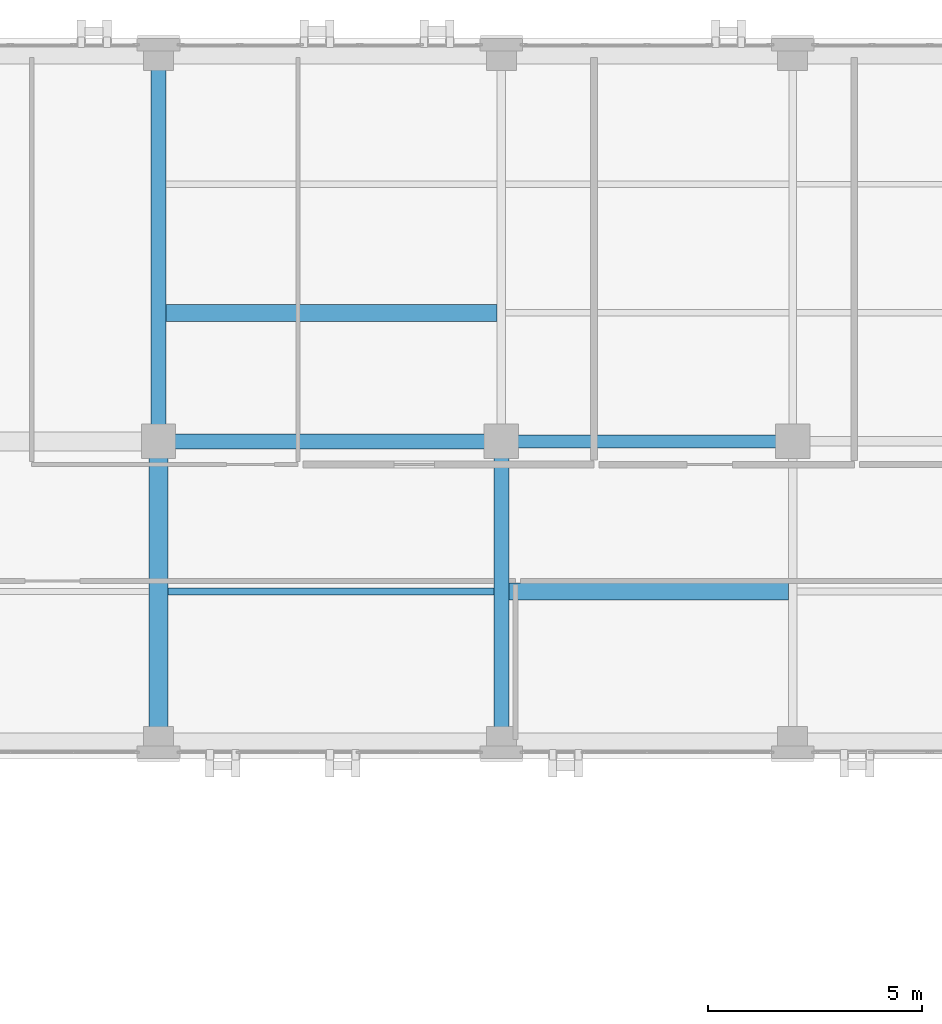
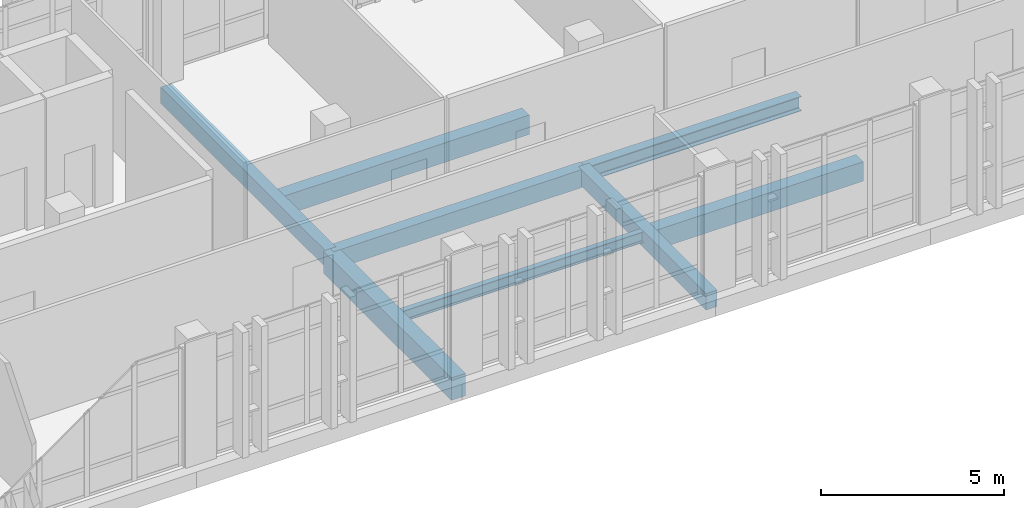
# One storey, part 92 of 165: 8 beams.
"""IFC4 building model written with IfcOpenShell, lengths in metres."""

from ifc_helpers import new_model, si_unit, direction, frame, origin, origin_2d, place, context, subcontext, project, spatial, rectangle, i_section, extrude, material, material_profile, profile_set, type_object, element, save


model = new_model("IFC4")

# Units and contexts
model_context = context("Model", 3, precision=1e-05, world=origin(), true_north=direction((0.0, 1.0)))
body_context = subcontext(model_context, "Body", "Model", "MODEL_VIEW")
ifc_project = project(units=[si_unit("LENGTHUNIT", "METRE"), si_unit("AREAUNIT", "SQUARE_METRE"), si_unit("VOLUMEUNIT", "CUBIC_METRE"), si_unit("PLANEANGLEUNIT", "RADIAN"), si_unit("MASSUNIT", "GRAM", prefix="KILO")], contexts=[model_context])

# Site, building, storey
site_placement = place(None, origin())
site = spatial("IfcSite", under=ifc_project, at=site_placement, CompositionType="ELEMENT")
building_placement = place(site_placement, origin())
building = spatial("IfcBuilding", under=site, at=building_placement, Name="Qalavern Law Courts", CompositionType="ELEMENT")
storey_placement = place(building_placement, frame((0.0, 0.0, 14.39990234375)))
storey = spatial("IfcBuildingStorey", under=building, at=storey_placement, Name="L03", CompositionType="ELEMENT", Elevation=14.39990234375)

# Beams
ifc_material_1 = material(Name="Steel S355", Category="steel")
ifc_material_profile_1 = material_profile(ifc_material_1, i_section(OverallWidth=0.300048828125, OverallDepth=0.489990234375, WebThickness=0.011962890625, FlangeThickness=0.02294921875, FilletRadius=0.027099609375, at=origin_2d()), Name="HEA 500")
ifc_profile_set_1 = profile_set([ifc_material_profile_1], Name="Steel S355")
beam_type_1 = type_object("IfcBeamType", Name="STR-BM-HEA500", PredefinedType="BEAM", material=ifc_profile_set_1)
beam_1_placement = place(storey_placement, frame((44.800048828125, 103.60009765625, -0.52978515625), z_axis=(1.0, 0.0, 0.0), x_axis=(0.0, 1.0, 0.0)))
element("IfcBeam", 1, at=beam_1_placement, inside=storey, type_object=beam_type_1, Name="V5 X-beam 2-6 L03", PredefinedType="BEAM", context=body_context, shape_type="SweptSolid", body=[
    extrude(i_section(OverallWidth=0.300048828125, OverallDepth=0.489990234375, WebThickness=0.011962890625, FlangeThickness=0.02294921875, FilletRadius=0.027099609375, at=origin_2d()), origin(), (0.0, 0.0, 1.0), 6.800048828125),
])
ifc_material_2 = material(Name="Concrete C35/45", Category="concrete")
ifc_material_profile_2 = material_profile(ifc_material_2, rectangle(XDim=0.35009765625, YDim=0.550048828125, at=origin_2d()), Name="RC 350x550")
ifc_profile_set_2 = profile_set([ifc_material_profile_2], Name="Concrete C35/45")
beam_type_2 = type_object("IfcBeamType", Name="STR-BM-RC350x550", PredefinedType="BEAM", material=ifc_profile_set_2)
beam_2_placement = place(storey_placement, frame((36.800048828125, 103.60009765625, -0.559814453125), z_axis=(0.0, 1.0, 0.0), x_axis=(-1.0, 0.0, 0.0)))
element("IfcBeam", 2, at=beam_2_placement, inside=storey, type_object=beam_type_2, Name="V5 Y-beam 5-2 L03", PredefinedType="BEAM", context=body_context, shape_type="SweptSolid", body=[
    extrude(rectangle(XDim=0.35009765625, YDim=0.550048828125, at=origin_2d()), origin(), (0.0, 0.0, 1.0), 9.0),
])
beam_3_placement = place(storey_placement, frame((44.800048828125, 96.60009765625, -0.559814453125), z_axis=(0.0, 1.0, 0.0), x_axis=(-1.0, 0.0, 0.0)))
element("IfcBeam", 3, at=beam_3_placement, inside=storey, type_object=beam_type_2, Name="V5 Y-beam 6-1 L03", PredefinedType="BEAM", context=body_context, shape_type="SweptSolid", body=[
    extrude(rectangle(XDim=0.35009765625, YDim=0.550048828125, at=origin_2d()), origin(), (0.0, 0.0, 1.0), 7.0),
])
ifc_material_profile_3 = material_profile(ifc_material_2, rectangle(XDim=0.35009765625, YDim=0.60009765625, at=origin_2d()), Name="RC 350x600")
ifc_profile_set_3 = profile_set([ifc_material_profile_3], Name="Concrete C35/45")
beam_type_3 = type_object("IfcBeamType", Name="STR-BM-RC350x600", PredefinedType="BEAM", material=ifc_profile_set_3)
beam_4_placement = place(storey_placement, frame((36.800048828125, 103.60009765625, -0.5849609375), z_axis=(1.0, 0.0, 0.0), x_axis=(0.0, 1.0, 0.0)))
element("IfcBeam", 4, at=beam_4_placement, inside=storey, type_object=beam_type_3, Name="V5 X-beam 2-5 L03", PredefinedType="BEAM", context=body_context, shape_type="SweptSolid", body=[
    extrude(rectangle(XDim=0.35009765625, YDim=0.60009765625, at=origin_2d()), origin(), (0.0, 0.0, 1.0), 8.0),
])
ifc_material_3 = material(Name="Concrete C40/50", Category="concrete")
ifc_material_profile_4 = material_profile(ifc_material_3, rectangle(XDim=0.449951171875, YDim=0.75, at=origin_2d()), Name="RC 450x750")
ifc_profile_set_4 = profile_set([ifc_material_profile_4], Name="Concrete C40/50")
beam_type_4 = type_object("IfcBeamType", Name="STR-BM-RC450x750", PredefinedType="BEAM", material=ifc_profile_set_4)
beam_5_placement = place(storey_placement, frame((36.800048828125, 96.60009765625, -0.659912109375), z_axis=(0.0, 1.0, 0.0), x_axis=(-1.0, 0.0, 0.0)))
element("IfcBeam", 5, at=beam_5_placement, inside=storey, type_object=beam_type_4, Name="V5 Y-beam 5-1 L03", PredefinedType="BEAM", context=body_context, shape_type="SweptSolid", body=[
    extrude(rectangle(XDim=0.449951171875, YDim=0.75, at=origin_2d()), origin(), (0.0, 0.0, 1.0), 7.0),
])
ifc_material_profile_5 = material_profile(ifc_material_1, i_section(OverallWidth=0.169921875, OverallDepth=0.360107421875, WebThickness=0.008056640625, FlangeThickness=0.0126953125, FilletRadius=0.01806640625, at=origin_2d()), Name="IPE 360")
ifc_profile_set_5 = profile_set([ifc_material_profile_5], Name="Steel S355")
beam_type_5 = type_object("IfcBeamType", Name="STR-JST-IPE360", PredefinedType="JOIST", material=ifc_profile_set_5)
beam_6_placement = place(storey_placement, frame((37.02294921875, 100.10009765625, -0.46484375), z_axis=(1.0, 0.0, 0.0), x_axis=(0.0, 1.0, 0.0)))
element("IfcBeam", 6, at=beam_6_placement, inside=storey, type_object=beam_type_5, Name="V5 secondary joist 5.1.1 L03", PredefinedType="JOIST", context=body_context, shape_type="SweptSolid", body=[
    extrude(i_section(OverallWidth=0.169921875, OverallDepth=0.360107421875, WebThickness=0.008056640625, FlangeThickness=0.0126953125, FilletRadius=0.01806640625, at=origin_2d()), origin(), (0.0, 0.0, 1.0), 7.60400390625),
])
ifc_material_profile_6 = material_profile(ifc_material_2, rectangle(XDim=0.39990234375, YDim=0.64990234375, at=origin_2d()), Name="RC 400x650")
ifc_profile_set_6 = profile_set([ifc_material_profile_6], Name="Concrete C35/45")
beam_type_6 = type_object("IfcBeamType", Name="STR-JST-RC400x650", PredefinedType="JOIST", material=ifc_profile_set_6)
beam_7_placement = place(storey_placement, frame((36.972900390625, 106.60009765625, -0.60986328125), z_axis=(1.0, 0.0, 0.0), x_axis=(0.0, 1.0, 0.0)))
element("IfcBeam", 7, at=beam_7_placement, inside=storey, type_object=beam_type_6, Name="V5 secondary joist 5.2.1 L03", PredefinedType="JOIST", context=body_context, shape_type="SweptSolid", body=[
    extrude(rectangle(XDim=0.39990234375, YDim=0.64990234375, at=origin_2d()), origin(), (0.0, 0.0, 1.0), 7.72900390625),
])
beam_8_placement = place(storey_placement, frame((44.972900390625, 100.10009765625, -0.60986328125), z_axis=(1.0, 0.0, 0.0), x_axis=(0.0, 1.0, 0.0)))
element("IfcBeam", 8, at=beam_8_placement, inside=storey, type_object=beam_type_6, Name="V5 secondary joist 6.1.1 L03", PredefinedType="JOIST", context=body_context, shape_type="SweptSolid", body=[
    extrude(rectangle(XDim=0.39990234375, YDim=0.64990234375, at=origin_2d()), origin(), (0.0, 0.0, 1.0), 6.529052734375),
])

save(model, "model.ifc")
